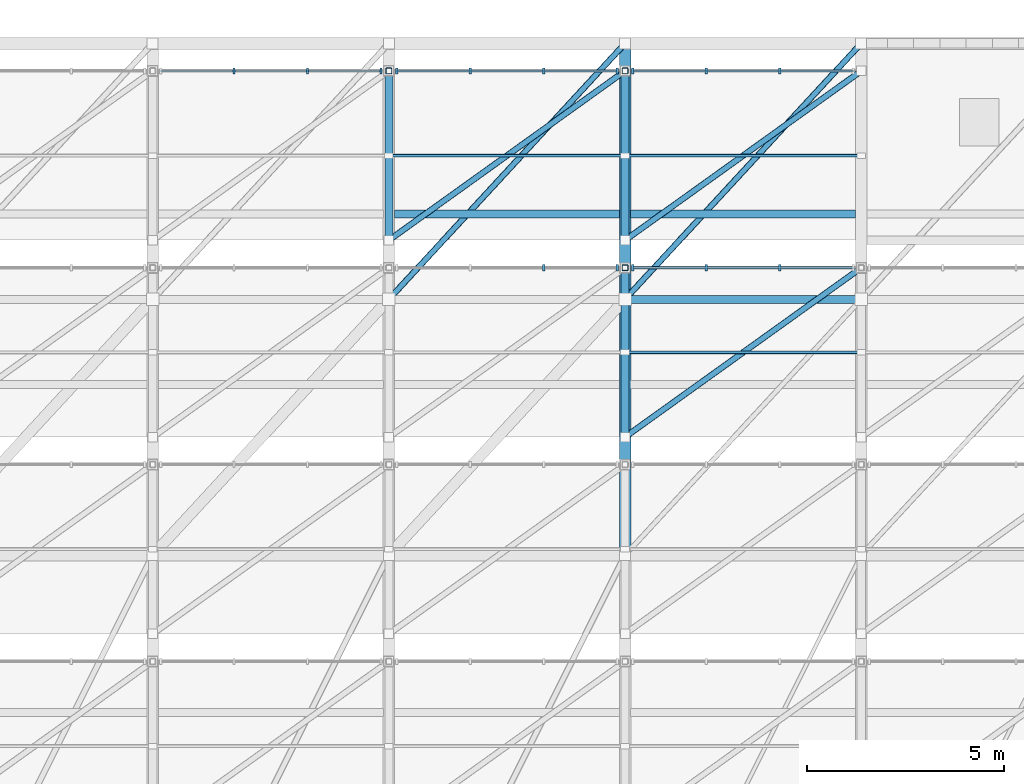
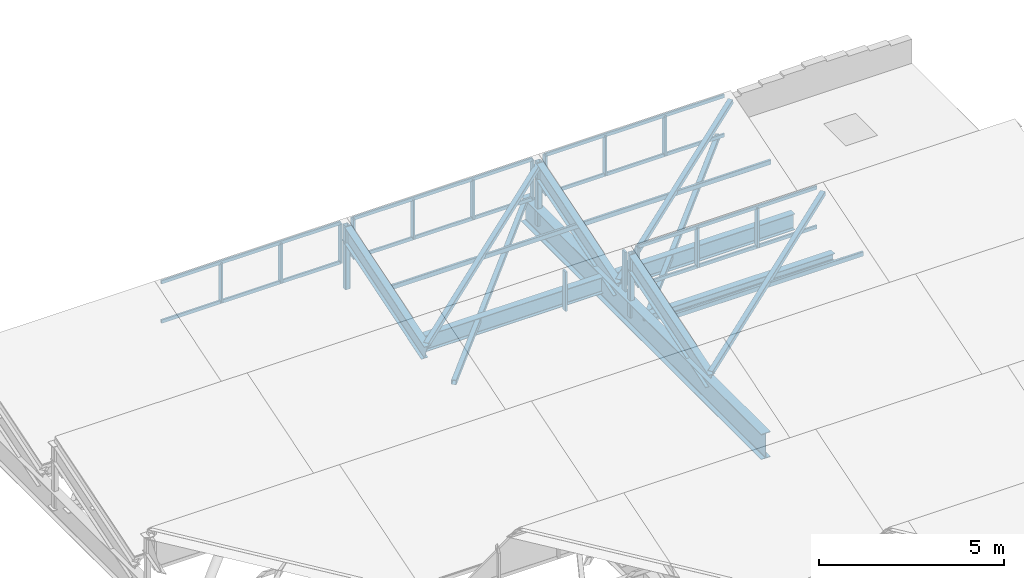
# One storey, part 15 of 48: 34 members, 7 beams, 5 elements without a shape of their own.
"""IFC4 building model written with IfcOpenShell, lengths in metres."""

from ifc_helpers import new_model, si_unit, direction, frame, origin, origin_2d, place, context, subcontext, project, spatial, rectangle, hollow_rectangle, i_section, extrude, material, layer, layer_set, material_profile, profile_set, type_object, element, aggregate, save


model = new_model("IFC4")

# Units and contexts
model_context = context("Model", 3, precision=1e-05, world=origin(), true_north=direction((0.0, 1.0)))
body_context = subcontext(model_context, "Body", "Model", "MODEL_VIEW")
ifc_project = project(units=[si_unit("LENGTHUNIT", "METRE"), si_unit("AREAUNIT", "SQUARE_METRE"), si_unit("VOLUMEUNIT", "CUBIC_METRE"), si_unit("PLANEANGLEUNIT", "RADIAN"), si_unit("MASSUNIT", "GRAM", prefix="KILO")], contexts=[model_context])

# Site, building, storey
site_placement = place(None, origin())
site = spatial("IfcSite", under=ifc_project, at=site_placement, CompositionType="ELEMENT")
building_placement = place(site_placement, origin())
building = spatial("IfcBuilding", under=site, at=building_placement, Name="Trellovar Central Fire Station", CompositionType="ELEMENT")
storey_placement = place(building_placement, frame((0.0, 0.0, 9.300048828125)))
storey = spatial("IfcBuildingStorey", under=building, at=storey_placement, Name="L03", CompositionType="ELEMENT", Elevation=9.300048828125)

# Beams
ifc_material_1 = material(Name="Steel ASTM A992 Grade 50", Category="steel")
ifc_material_profile_1 = material_profile(ifc_material_1, i_section(OverallWidth=0.202880859375, OverallDepth=0.251953125, WebThickness=0.008056640625, FlangeThickness=0.013427734375, FilletRadius=0.0126953125, at=origin_2d()), Name="W10X39")
ifc_profile_set_1 = profile_set([ifc_material_profile_1], Name="Steel ASTM A992 Grade 50")
beam_type_1 = type_object("IfcBeamType", Name="BM-SW13", PredefinedType="SPANDREL", material=ifc_profile_set_1)
beam_1_placement = place(storey_placement, frame((123.64599609375, 66.5, -0.30615234375), z_axis=(1.0, 0.0, 0.0), x_axis=(0.0, 1.0, 0.0)))
element("IfcBeam", 1, at=beam_1_placement, inside=storey, type_object=beam_type_1, Name="V6 roof spine spandrel", PredefinedType="SPANDREL", context=body_context, shape_type="SweptSolid", body=[
    extrude(i_section(OverallWidth=0.202880859375, OverallDepth=0.251953125, WebThickness=0.008056640625, FlangeThickness=0.013427734375, FilletRadius=0.0126953125, at=origin_2d()), origin(), (0.0, 0.0, 1.0), 5.7080078125),
])
ifc_material_2 = material(Name="Steel ASTM A992 Grade 50", Category="steel")
ifc_material_profile_2 = material_profile(ifc_material_2, i_section(OverallWidth=0.2919921875, OverallDepth=0.8408203125, WebThickness=0.0146484375, FlangeThickness=0.021728515625, FilletRadius=0.020263671875, at=origin_2d()), Name="W33X130")
ifc_profile_set_2 = profile_set([ifc_material_profile_2], Name="Steel ASTM A992 Grade 50")
beam_type_2 = type_object("IfcBeamType", Name="BM-SW2", PredefinedType="BEAM", material=ifc_profile_set_2)
beam_2_placement = place(storey_placement, frame((123.5, 60.0, -0.600341796875), z_axis=(0.0, 1.0, 0.0), x_axis=(-1.0, 0.0, 0.0)))
element("IfcBeam", 2, at=beam_2_placement, inside=storey, type_object=beam_type_2, Name="L03 beam SB-2", PredefinedType="BEAM", context=body_context, shape_type="SweptSolid", body=[
    extrude(i_section(OverallWidth=0.2919921875, OverallDepth=0.8408203125, WebThickness=0.0146484375, FlangeThickness=0.021728515625, FilletRadius=0.020263671875, at=origin_2d()), origin(), (0.0, 0.0, 1.0), 13.0),
])
ifc_material_3 = material(Name="Steel ASTM A992 Grade 50", Category="steel")
ifc_material_profile_3 = material_profile(ifc_material_3, i_section(OverallWidth=0.209228515625, OverallDepth=0.533447265625, WebThickness=0.01025390625, FlangeThickness=0.015625, FilletRadius=0.013916015625, at=origin_2d()), Name="W21X62")
ifc_profile_set_3 = profile_set([ifc_material_profile_3], Name="Steel ASTM A992 Grade 50")
beam_type_3 = type_object("IfcBeamType", Name="BM-SW7", PredefinedType="BEAM", material=ifc_profile_set_3)
for number, where, z_axis, x_axis, name in (
    (3, (117.64111328125, 68.666748046875, -0.44677734375), (1.0, 0.0, 0.0), (0.0, 1.0, 0.0), "L03 beam SB-7"),
    (4, (123.64111328125, 68.666748046875, -0.44677734375), (1.0, 0.0, 0.0), (0.0, 1.0, 0.0), "L03 beam SB-7"),
):
    element("IfcBeam", number, at=place(storey_placement, frame(where, z_axis=z_axis, x_axis=x_axis)), inside=storey, type_object=beam_type_3, Name=name, PredefinedType="BEAM", context=body_context, shape_type="SweptSolid", body=[
        extrude(i_section(OverallWidth=0.209228515625, OverallDepth=0.533447265625, WebThickness=0.01025390625, FlangeThickness=0.015625, FilletRadius=0.013916015625, at=origin_2d()), origin(), (0.0, 0.0, 1.0), 5.7177734375),
    ])
for number, where, z_axis, x_axis, name in (
    (5, (123.5, 63.0, -0.266845703125), (0.0, 0.954079117135, 0.299554733308), (-1.0, 0.0, 0.0), "Sawtooth steel rafter"),
    (6, (117.5, 68.0, -0.266845703125), (0.0, 0.954079117135, 0.299554733308), (-1.0, 0.0, 0.0), "Sawtooth steel rafter"),
    (7, (123.5, 68.0, -0.266845703125), (0.0, 0.954079117135, 0.299554733308), (-1.0, 0.0, 0.0), "Sawtooth steel rafter"),
):
    element("IfcBeam", number, at=place(storey_placement, frame(where, z_axis=z_axis, x_axis=x_axis)), inside=storey, type_object=beam_type_3, Name=name, PredefinedType="BEAM", context=body_context, shape_type="SweptSolid", body=[
        extrude(i_section(OverallWidth=0.209228515625, OverallDepth=0.533447265625, WebThickness=0.01025390625, FlangeThickness=0.015625, FilletRadius=0.013916015625, at=origin_2d()), origin(), (0.0, 0.0, 1.0), 4.507080078125),
    ])

# Curtain wall, members
ifc_material_4 = material(Name="Thermally broken bronze anodized aluminum", Category="aluminium")
ifc_layer = layer(ifc_material_4, 0.159912109375)
ifc_layer_set = layer_set([ifc_layer], Name="Thermally broken bronze anodized aluminum")
curtain_wall_type = type_object("IfcCurtainWallType", Name="CW-06", PredefinedType="NOTDEFINED", material=ifc_layer_set)
curtain_wall_1_placement = place(storey_placement, origin())
curtain_wall_1 = element("IfcCurtainWall", 8, at=curtain_wall_1_placement, inside=storey, type_object=curtain_wall_type, Name="V6 sawtooth north-light monitor 5-2", PredefinedType="NOTDEFINED")
ifc_material_5 = material(Name="Thermally broken bronze anodized aluminum", Category="aluminium")
ifc_material_profile_4 = material_profile(ifc_material_5, rectangle(XDim=0.06005859375, YDim=0.159912109375, at=origin_2d()), Name="ALU60X160")
ifc_profile_set_4 = profile_set([ifc_material_profile_4], Name="Thermally broken bronze anodized aluminum")
member_type_1 = type_object("IfcMemberType", Name="CWM-3", PredefinedType="MULLION", material=ifc_profile_set_4)
member_1_placement = place(storey_placement, frame((117.300048828125, 72.300048828125, 0.179931640625), z_axis=(0.0, 0.0, 1.0), x_axis=(1.0, 0.0, 0.0)))
member_1 = element("IfcMember", 9, at=member_1_placement, type_object=member_type_1, Name="CW3-L03-0119 mullion 1", PredefinedType="MULLION", context=body_context, shape_type="SweptSolid", body=[
    extrude(rectangle(XDim=0.06005859375, YDim=0.159912109375, at=origin_2d()), origin(), (0.0, 0.0, 1.0), 1.300048828125),
])
member_2_placement = place(storey_placement, frame((115.433349609375, 72.300048828125, 0.179931640625), z_axis=(0.0, 0.0, 1.0), x_axis=(1.0, 0.0, 0.0)))
member_2 = element("IfcMember", 10, at=member_2_placement, type_object=member_type_1, Name="CW3-L03-0119 mullion 2", PredefinedType="MULLION", context=body_context, shape_type="SweptSolid", body=[
    extrude(rectangle(XDim=0.06005859375, YDim=0.159912109375, at=origin_2d()), origin(), (0.0, 0.0, 1.0), 1.300048828125),
])
member_3_placement = place(storey_placement, frame((113.566650390625, 72.300048828125, 0.179931640625), z_axis=(0.0, 0.0, 1.0), x_axis=(1.0, 0.0, 0.0)))
member_3 = element("IfcMember", 11, at=member_3_placement, type_object=member_type_1, Name="CW3-L03-0119 mullion 3", PredefinedType="MULLION", context=body_context, shape_type="SweptSolid", body=[
    extrude(rectangle(XDim=0.06005859375, YDim=0.159912109375, at=origin_2d()), origin(), (0.0, 0.0, 1.0), 1.300048828125),
])

curtain_wall_2_placement = place(storey_placement, origin())
curtain_wall_2 = element("IfcCurtainWall", 12, at=curtain_wall_2_placement, inside=storey, type_object=curtain_wall_type, Name="V6 sawtooth north-light monitor 4-3", PredefinedType="NOTDEFINED")
member_4_placement = place(storey_placement, frame((123.300048828125, 67.300048828125, 0.179931640625), z_axis=(0.0, 0.0, 1.0), x_axis=(1.0, 0.0, 0.0)))
member_4 = element("IfcMember", 13, at=member_4_placement, type_object=member_type_1, Name="CW3-L03-0126 mullion 1", PredefinedType="MULLION", context=body_context, shape_type="SweptSolid", body=[
    extrude(rectangle(XDim=0.06005859375, YDim=0.159912109375, at=origin_2d()), origin(), (0.0, 0.0, 1.0), 1.300048828125),
])
member_5_placement = place(storey_placement, frame((121.433349609375, 67.300048828125, 0.179931640625), z_axis=(0.0, 0.0, 1.0), x_axis=(1.0, 0.0, 0.0)))
member_5 = element("IfcMember", 14, at=member_5_placement, type_object=member_type_1, Name="CW3-L03-0126 mullion 2", PredefinedType="MULLION", context=body_context, shape_type="SweptSolid", body=[
    extrude(rectangle(XDim=0.06005859375, YDim=0.159912109375, at=origin_2d()), origin(), (0.0, 0.0, 1.0), 1.300048828125),
])
aggregate(curtain_wall_2, [member_4, member_5])

curtain_wall_3_placement = place(storey_placement, origin())
curtain_wall_3 = element("IfcCurtainWall", 15, at=curtain_wall_3_placement, inside=storey, type_object=curtain_wall_type, Name="V6 sawtooth north-light monitor 5-3", PredefinedType="NOTDEFINED")
member_6_placement = place(storey_placement, frame((123.300048828125, 72.300048828125, 0.179931640625), z_axis=(0.0, 0.0, 1.0), x_axis=(1.0, 0.0, 0.0)))
member_6 = element("IfcMember", 16, at=member_6_placement, type_object=member_type_1, Name="CW3-L03-0127 mullion 1", PredefinedType="MULLION", context=body_context, shape_type="SweptSolid", body=[
    extrude(rectangle(XDim=0.06005859375, YDim=0.159912109375, at=origin_2d()), origin(), (0.0, 0.0, 1.0), 1.300048828125),
])
member_7_placement = place(storey_placement, frame((121.433349609375, 72.300048828125, 0.179931640625), z_axis=(0.0, 0.0, 1.0), x_axis=(1.0, 0.0, 0.0)))
member_7 = element("IfcMember", 17, at=member_7_placement, type_object=member_type_1, Name="CW3-L03-0127 mullion 2", PredefinedType="MULLION", context=body_context, shape_type="SweptSolid", body=[
    extrude(rectangle(XDim=0.06005859375, YDim=0.159912109375, at=origin_2d()), origin(), (0.0, 0.0, 1.0), 1.300048828125),
])
member_8_placement = place(storey_placement, frame((119.566650390625, 72.300048828125, 0.179931640625), z_axis=(0.0, 0.0, 1.0), x_axis=(1.0, 0.0, 0.0)))
member_8 = element("IfcMember", 18, at=member_8_placement, type_object=member_type_1, Name="CW3-L03-0127 mullion 3", PredefinedType="MULLION", context=body_context, shape_type="SweptSolid", body=[
    extrude(rectangle(XDim=0.06005859375, YDim=0.159912109375, at=origin_2d()), origin(), (0.0, 0.0, 1.0), 1.300048828125),
])
member_9_placement = place(storey_placement, frame((117.699951171875, 72.300048828125, 0.179931640625), z_axis=(0.0, 0.0, 1.0), x_axis=(1.0, 0.0, 0.0)))
member_9 = element("IfcMember", 19, at=member_9_placement, type_object=member_type_1, Name="CW3-L03-0127 mullion 4", PredefinedType="MULLION", context=body_context, shape_type="SweptSolid", body=[
    extrude(rectangle(XDim=0.06005859375, YDim=0.159912109375, at=origin_2d()), origin(), (0.0, 0.0, 1.0), 1.300048828125),
])

curtain_wall_4_placement = place(storey_placement, origin())
curtain_wall_4 = element("IfcCurtainWall", 20, at=curtain_wall_4_placement, inside=storey, type_object=curtain_wall_type, Name="V6 sawtooth north-light monitor 4-4", PredefinedType="NOTDEFINED")
member_10_placement = place(storey_placement, frame((127.433349609375, 67.300048828125, 0.179931640625), z_axis=(0.0, 0.0, 1.0), x_axis=(1.0, 0.0, 0.0)))
member_10 = element("IfcMember", 21, at=member_10_placement, type_object=member_type_1, Name="CW3-L03-0134 mullion 2", PredefinedType="MULLION", context=body_context, shape_type="SweptSolid", body=[
    extrude(rectangle(XDim=0.06005859375, YDim=0.159912109375, at=origin_2d()), origin(), (0.0, 0.0, 1.0), 1.300048828125),
])
member_11_placement = place(storey_placement, frame((125.566650390625, 67.300048828125, 0.179931640625), z_axis=(0.0, 0.0, 1.0), x_axis=(1.0, 0.0, 0.0)))
member_11 = element("IfcMember", 22, at=member_11_placement, type_object=member_type_1, Name="CW3-L03-0134 mullion 3", PredefinedType="MULLION", context=body_context, shape_type="SweptSolid", body=[
    extrude(rectangle(XDim=0.06005859375, YDim=0.159912109375, at=origin_2d()), origin(), (0.0, 0.0, 1.0), 1.300048828125),
])
member_12_placement = place(storey_placement, frame((123.699951171875, 67.300048828125, 0.179931640625), z_axis=(0.0, 0.0, 1.0), x_axis=(1.0, 0.0, 0.0)))
member_12 = element("IfcMember", 23, at=member_12_placement, type_object=member_type_1, Name="CW3-L03-0134 mullion 4", PredefinedType="MULLION", context=body_context, shape_type="SweptSolid", body=[
    extrude(rectangle(XDim=0.06005859375, YDim=0.159912109375, at=origin_2d()), origin(), (0.0, 0.0, 1.0), 1.300048828125),
])

curtain_wall_5_placement = place(storey_placement, origin())
curtain_wall_5 = element("IfcCurtainWall", 24, at=curtain_wall_5_placement, inside=storey, type_object=curtain_wall_type, Name="V6 sawtooth north-light monitor 5-4", PredefinedType="NOTDEFINED")
member_13_placement = place(storey_placement, frame((127.433349609375, 72.300048828125, 0.179931640625), z_axis=(0.0, 0.0, 1.0), x_axis=(1.0, 0.0, 0.0)))
member_13 = element("IfcMember", 25, at=member_13_placement, type_object=member_type_1, Name="CW3-L03-0135 mullion 2", PredefinedType="MULLION", context=body_context, shape_type="SweptSolid", body=[
    extrude(rectangle(XDim=0.06005859375, YDim=0.159912109375, at=origin_2d()), origin(), (0.0, 0.0, 1.0), 1.300048828125),
])
member_14_placement = place(storey_placement, frame((125.566650390625, 72.300048828125, 0.179931640625), z_axis=(0.0, 0.0, 1.0), x_axis=(1.0, 0.0, 0.0)))
member_14 = element("IfcMember", 26, at=member_14_placement, type_object=member_type_1, Name="CW3-L03-0135 mullion 3", PredefinedType="MULLION", context=body_context, shape_type="SweptSolid", body=[
    extrude(rectangle(XDim=0.06005859375, YDim=0.159912109375, at=origin_2d()), origin(), (0.0, 0.0, 1.0), 1.300048828125),
])
member_15_placement = place(storey_placement, frame((123.699951171875, 72.300048828125, 0.179931640625), z_axis=(0.0, 0.0, 1.0), x_axis=(1.0, 0.0, 0.0)))
member_15 = element("IfcMember", 27, at=member_15_placement, type_object=member_type_1, Name="CW3-L03-0135 mullion 4", PredefinedType="MULLION", context=body_context, shape_type="SweptSolid", body=[
    extrude(rectangle(XDim=0.06005859375, YDim=0.159912109375, at=origin_2d()), origin(), (0.0, 0.0, 1.0), 1.300048828125),
])

# Member
ifc_material_6 = material(Name="Thermally broken bronze anodized aluminum", Category="aluminium")
ifc_material_profile_5 = material_profile(ifc_material_6, rectangle(XDim=0.054931640625, YDim=0.110107421875, at=origin_2d()), Name="ALU55X110")
ifc_profile_set_5 = profile_set([ifc_material_profile_5], Name="Thermally broken bronze anodized aluminum")
member_type_2 = type_object("IfcMemberType", Name="CWT-3", PredefinedType="USERDEFINED", material=ifc_profile_set_5)
member_16_placement = place(storey_placement, frame((117.300048828125, 72.300048828125, 0.179931640625), z_axis=(-1.0, 0.0, 0.0), x_axis=(0.0, -1.0, 0.0)))
member_16 = element("IfcMember", 28, at=member_16_placement, type_object=member_type_2, Name="CW3-L03-0119 transom 1", ObjectType="TRANSOM", PredefinedType="USERDEFINED", context=body_context, shape_type="SweptSolid", body=[
    extrude(rectangle(XDim=0.054931640625, YDim=0.110107421875, at=origin_2d()), origin(), (0.0, 0.0, 1.0), 5.60009765625),
])

member_17_placement = place(storey_placement, frame((117.300048828125, 72.300048828125, 1.47998046875), z_axis=(-1.0, 0.0, 0.0), x_axis=(0.0, -1.0, 0.0)))
member_17 = element("IfcMember", 29, at=member_17_placement, type_object=member_type_2, Name="CW3-L03-0119 transom 2", ObjectType="TRANSOM", PredefinedType="USERDEFINED", context=body_context, shape_type="SweptSolid", body=[
    extrude(rectangle(XDim=0.054931640625, YDim=0.110107421875, at=origin_2d()), origin(), (0.0, 0.0, 1.0), 5.60009765625),
])

aggregate(curtain_wall_1, [member_1, member_2, member_3, member_16, member_17])

member_18_placement = place(storey_placement, frame((123.300048828125, 72.300048828125, 0.179931640625), z_axis=(-1.0, 0.0, 0.0), x_axis=(0.0, -1.0, 0.0)))
member_18 = element("IfcMember", 30, at=member_18_placement, type_object=member_type_2, Name="CW3-L03-0127 transom 1", ObjectType="TRANSOM", PredefinedType="USERDEFINED", context=body_context, shape_type="SweptSolid", body=[
    extrude(rectangle(XDim=0.054931640625, YDim=0.110107421875, at=origin_2d()), origin(), (0.0, 0.0, 1.0), 5.60009765625),
])

member_19_placement = place(storey_placement, frame((123.300048828125, 72.300048828125, 1.47998046875), z_axis=(-1.0, 0.0, 0.0), x_axis=(0.0, -1.0, 0.0)))
member_19 = element("IfcMember", 31, at=member_19_placement, type_object=member_type_2, Name="CW3-L03-0127 transom 2", ObjectType="TRANSOM", PredefinedType="USERDEFINED", context=body_context, shape_type="SweptSolid", body=[
    extrude(rectangle(XDim=0.054931640625, YDim=0.110107421875, at=origin_2d()), origin(), (0.0, 0.0, 1.0), 5.60009765625),
])

aggregate(curtain_wall_3, [member_6, member_7, member_8, member_9, member_18, member_19])

member_20_placement = place(storey_placement, frame((129.300048828125, 67.300048828125, 0.179931640625), z_axis=(-1.0, 0.0, 0.0), x_axis=(0.0, -1.0, 0.0)))
member_20 = element("IfcMember", 32, at=member_20_placement, type_object=member_type_2, Name="CW3-L03-0134 transom 1", ObjectType="TRANSOM", PredefinedType="USERDEFINED", context=body_context, shape_type="SweptSolid", body=[
    extrude(rectangle(XDim=0.054931640625, YDim=0.110107421875, at=origin_2d()), origin(), (0.0, 0.0, 1.0), 5.60009765625),
])

member_21_placement = place(storey_placement, frame((129.300048828125, 67.300048828125, 1.47998046875), z_axis=(-1.0, 0.0, 0.0), x_axis=(0.0, -1.0, 0.0)))
member_21 = element("IfcMember", 33, at=member_21_placement, type_object=member_type_2, Name="CW3-L03-0134 transom 2", ObjectType="TRANSOM", PredefinedType="USERDEFINED", context=body_context, shape_type="SweptSolid", body=[
    extrude(rectangle(XDim=0.054931640625, YDim=0.110107421875, at=origin_2d()), origin(), (0.0, 0.0, 1.0), 5.60009765625),
])

aggregate(curtain_wall_4, [member_10, member_11, member_12, member_20, member_21])

member_22_placement = place(storey_placement, frame((129.300048828125, 72.300048828125, 0.179931640625), z_axis=(-1.0, 0.0, 0.0), x_axis=(0.0, -1.0, 0.0)))
member_22 = element("IfcMember", 34, at=member_22_placement, type_object=member_type_2, Name="CW3-L03-0135 transom 1", ObjectType="TRANSOM", PredefinedType="USERDEFINED", context=body_context, shape_type="SweptSolid", body=[
    extrude(rectangle(XDim=0.054931640625, YDim=0.110107421875, at=origin_2d()), origin(), (0.0, 0.0, 1.0), 5.60009765625),
])

member_23_placement = place(storey_placement, frame((129.300048828125, 72.300048828125, 1.47998046875), z_axis=(-1.0, 0.0, 0.0), x_axis=(0.0, -1.0, 0.0)))
member_23 = element("IfcMember", 35, at=member_23_placement, type_object=member_type_2, Name="CW3-L03-0135 transom 2", ObjectType="TRANSOM", PredefinedType="USERDEFINED", context=body_context, shape_type="SweptSolid", body=[
    extrude(rectangle(XDim=0.054931640625, YDim=0.110107421875, at=origin_2d()), origin(), (0.0, 0.0, 1.0), 5.60009765625),
])

aggregate(curtain_wall_5, [member_13, member_14, member_15, member_22, member_23])

# Members
ifc_material_7 = material(Name="Steel ASTM A500 Grade C", Category="steel")
ifc_material_profile_6 = material_profile(ifc_material_7, hollow_rectangle(XDim=0.15234375, YDim=0.15234375, WallThickness=0.005859375, InnerFilletRadius=0.005859375, OuterFilletRadius=0.01171875, at=origin_2d()), Name="HSS6X6X1/4")
ifc_profile_set_6 = profile_set([ifc_material_profile_6], Name="Steel ASTM A500 Grade C")
member_type_3 = type_object("IfcMemberType", Name="MEM-BR1", PredefinedType="BRACE", material=ifc_profile_set_6)
for number, where, z_axis, x_axis, name in (
    (36, (123.5, 63.0, -0.02001953125), (0.801405151762, 0.574346880614, 0.166959406617), (-0.582523311563, 0.812813995626, 0.0), "Sawtooth roof plane diagonal brace"),
    (37, (117.5, 68.0, -0.02001953125), (0.801405151762, 0.574346880614, 0.166959406617), (-0.582523311563, 0.812813995626, 0.0), "Sawtooth roof plane diagonal brace"),
    (38, (123.5, 68.0, -0.02001953125), (0.801405151762, 0.574346880614, 0.166959406617), (-0.582523311563, 0.812813995626, 0.0), "Sawtooth roof plane diagonal brace"),
):
    element("IfcMember", number, at=place(storey_placement, frame(where, z_axis=z_axis, x_axis=x_axis)), inside=storey, type_object=member_type_3, Name=name, PredefinedType="BRACE", context=body_context, shape_type="SweptSolid", body=[
        extrude(hollow_rectangle(XDim=0.15234375, YDim=0.15234375, WallThickness=0.005859375, InnerFilletRadius=0.005859375, OuterFilletRadius=0.01171875, at=origin_2d()), origin(), (0.0, 0.0, 1.0), 7.48681640625),
    ])
ifc_material_8 = material(Name="Steel ASTM A500 Grade C", Category="steel")
ifc_material_profile_7 = material_profile(ifc_material_8, hollow_rectangle(XDim=0.15234375, YDim=0.15234375, WallThickness=0.0087890625, InnerFilletRadius=0.0087890625, OuterFilletRadius=0.017822265625, at=origin_2d()), Name="HSS6X6X3/8")
ifc_profile_set_7 = profile_set([ifc_material_profile_7], Name="Steel ASTM A500 Grade C")
member_type_4 = type_object("IfcMemberType", Name="MEM-CH2", PredefinedType="CHORD", material=ifc_profile_set_7)
for number, where, z_axis, x_axis, name in (
    (39, (117.5, 66.5, -0.35009765625), (0.678280102733, 0.734803444627, 0.0), (-0.734803444627, 0.678280102733, 0.0), "V6 roof diaphragm chord"),
    (40, (123.5, 66.5, -0.35009765625), (0.678280102733, 0.734803444627, 0.0), (-0.734803444627, 0.678280102733, 0.0), "V6 roof diaphragm chord"),
):
    element("IfcMember", number, at=place(storey_placement, frame(where, z_axis=z_axis, x_axis=x_axis)), inside=storey, type_object=member_type_4, Name=name, PredefinedType="CHORD", context=body_context, shape_type="SweptSolid", body=[
        extrude(hollow_rectangle(XDim=0.15234375, YDim=0.15234375, WallThickness=0.0087890625, InnerFilletRadius=0.0087890625, OuterFilletRadius=0.017822265625, at=origin_2d()), origin(), (0.0, 0.0, 1.0), 8.845947265625),
    ])
ifc_material_9 = material(Name="Steel ASTM A500 Grade C", Category="steel")
ifc_material_profile_8 = material_profile(ifc_material_9, hollow_rectangle(XDim=0.076171875, YDim=0.15234375, WallThickness=0.005859375, InnerFilletRadius=0.005859375, OuterFilletRadius=0.01171875, at=origin_2d()), Name="HSS6X3X1/4")
ifc_profile_set_8 = profile_set([ifc_material_profile_8], Name="Steel ASTM A500 Grade C")
member_type_5 = type_object("IfcMemberType", Name="MEM-PU2", PredefinedType="PURLIN", material=ifc_profile_set_8)
for number, where, z_axis, x_axis, name in (
    (41, (123.5, 65.14990234375, 0.530029296875), (1.0, 0.0, 0.0), (0.0, 1.0, 0.0), "Sawtooth steel purlin"),
    (42, (117.5, 70.14990234375, 0.530029296875), (1.0, 0.0, 0.0), (0.0, 1.0, 0.0), "Sawtooth steel purlin"),
    (43, (123.5, 70.14990234375, 0.530029296875), (1.0, 0.0, 0.0), (0.0, 1.0, 0.0), "Sawtooth steel purlin"),
):
    element("IfcMember", number, at=place(storey_placement, frame(where, z_axis=z_axis, x_axis=x_axis)), inside=storey, type_object=member_type_5, Name=name, PredefinedType="PURLIN", context=body_context, shape_type="SweptSolid", body=[
        extrude(hollow_rectangle(XDim=0.076171875, YDim=0.15234375, WallThickness=0.005859375, InnerFilletRadius=0.005859375, OuterFilletRadius=0.01171875, at=origin_2d()), origin(), (0.0, 0.0, 1.0), 6.0),
    ])
ifc_material_10 = material(Name="Steel ASTM A500 Grade C", Category="steel")
ifc_material_profile_9 = material_profile(ifc_material_10, hollow_rectangle(XDim=0.15234375, YDim=0.15234375, WallThickness=0.0087890625, InnerFilletRadius=0.0087890625, OuterFilletRadius=0.017822265625, at=origin_2d()), Name="HSS6X6X3/8")
ifc_profile_set_9 = profile_set([ifc_material_profile_9], Name="Steel ASTM A500 Grade C")
member_type_6 = type_object("IfcMemberType", Name="MEM-ST1", PredefinedType="STRUT", material=ifc_profile_set_9)
for number, where, z_axis, x_axis, name in (
    (44, (123.5, 67.300048828125, -0.75), (0.0, 0.0, 1.0), (1.0, 0.0, 0.0), "Sawtooth monitor vertical post"),
    (45, (117.5, 72.300048828125, -0.75), (0.0, 0.0, 1.0), (1.0, 0.0, 0.0), "Sawtooth monitor vertical post"),
    (46, (123.5, 72.300048828125, -0.75), (0.0, 0.0, 1.0), (1.0, 0.0, 0.0), "Sawtooth monitor vertical post"),
):
    element("IfcMember", number, at=place(storey_placement, frame(where, z_axis=z_axis, x_axis=x_axis)), inside=storey, type_object=member_type_6, Name=name, PredefinedType="STRUT", context=body_context, shape_type="SweptSolid", body=[
        extrude(hollow_rectangle(XDim=0.15234375, YDim=0.15234375, WallThickness=0.0087890625, InnerFilletRadius=0.0087890625, OuterFilletRadius=0.017822265625, at=origin_2d()), origin(), (0.0, 0.0, 1.0), 2.099853515625),
    ])

save(model, "model.ifc")
